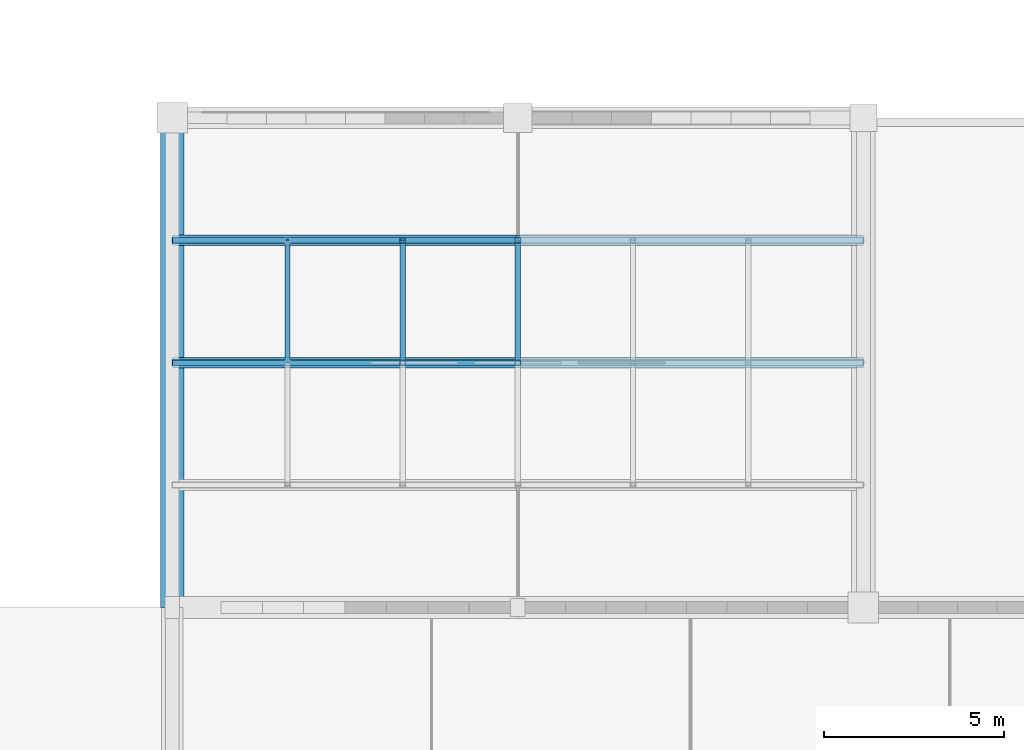
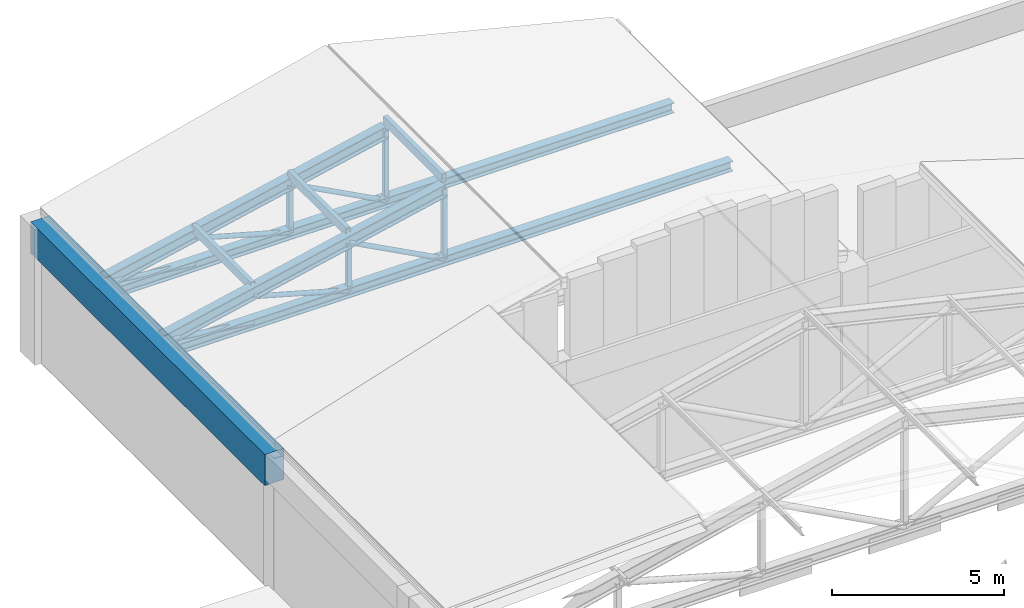
# One storey, part 20 of 61: 17 members, 1 beam.
"""IFC4 building model written with IfcOpenShell, lengths in metres."""

import ifcopenshell
import ifcopenshell.guid

model = None  # the IFC model being written
_history = None  # IfcOwnerHistory: only IFC2X3 demands one
_inside = {}  # id of a spatial element -> (the spatial element, [elements in it])
_under = {}  # id of a project, library or spatial element -> (it, [spatial elements below it])
_declared = {}  # id of a project -> (the project, [libraries it declares])
_typed = {}  # id of a type object -> (the type object, [elements of that type])
_made_of = {}  # id of a material, layer set ... -> (it, [elements and type objects made of it])


def new_model(schema):
    """Start an empty IFC model of exactly this schema.

    Asked for "IFC4X3", IfcOpenShell would pick the latest addendum, in which some entities
    have other attributes; the version numbers below select the first issue.
    IFC2X3 requires an IfcOwnerHistory on every rooted entity: one is made here for all.
    """
    global model, _history
    if schema == "IFC4X3":
        model = ifcopenshell.file(schema_version=(4, 3, 0, 0))
    else:
        model = ifcopenshell.file(schema=schema)
    _inside.clear()
    _under.clear()
    _declared.clear()
    _typed.clear()
    _made_of.clear()
    _history = None
    if model.schema == "IFC2X3":
        org = make("IfcOrganization", Name="unknown")
        user = make(
            "IfcPersonAndOrganization",
            ThePerson=make("IfcPerson", FamilyName="unknown"),
            TheOrganization=org,
        )
        app = make(
            "IfcApplication",
            ApplicationDeveloper=org,
            Version="unknown",
            ApplicationFullName="unknown",
            ApplicationIdentifier="unknown",
        )
        _history = make(
            "IfcOwnerHistory",
            OwningUser=user,
            OwningApplication=app,
            ChangeAction="ADDED",
            CreationDate=0,
        )
    return model


def make(cls, **values):
    """One entity of the class cls with the attributes given. An attribute that is None is left unset."""
    return model.create_entity(
        cls, **{name: value for name, value in values.items() if value is not None}
    )


def rooted(cls, **values):
    """An entity with a GlobalId (a new one), such as an element, a storey or a relation."""
    return make(cls, GlobalId=ifcopenshell.guid.new(), OwnerHistory=_history, **values)


def si_unit(unit_type, name, prefix=None):
    """IfcSIUnit, for example si_unit("LENGTHUNIT", "METRE", prefix="MILLI")."""
    return make("IfcSIUnit", UnitType=unit_type, Prefix=prefix, Name=name)


def assignment(units):
    """IfcUnitAssignment: the units of a project."""
    return None if units is None else make("IfcUnitAssignment", Units=units)


def point(xyz):
    """IfcCartesianPoint."""
    return None if xyz is None else make("IfcCartesianPoint", Coordinates=xyz)


def direction(xyz):
    """IfcDirection."""
    return None if xyz is None else make("IfcDirection", DirectionRatios=xyz)


def frame(location, z_axis=None, x_axis=None):
    """IfcAxis2Placement3D, a coordinate frame: its origin and axes. An axis left out is left unset."""
    return make(
        "IfcAxis2Placement3D",
        Location=point(location),
        Axis=direction(z_axis),
        RefDirection=direction(x_axis),
    )


def frame_2d(location, x_axis=None):
    """IfcAxis2Placement2D, a coordinate frame in the plane: its origin and x axis."""
    return make(
        "IfcAxis2Placement2D", Location=point(location), RefDirection=direction(x_axis)
    )


def origin():
    """The frame at (0, 0, 0) with its axes left unset."""
    return frame((0.0, 0.0, 0.0))


def origin_2d():
    """The frame at (0, 0) in the plane with its x axis left unset."""
    return frame_2d((0.0, 0.0))


def place(relative_to, where):
    """IfcLocalPlacement: puts the frame where relative to a parent placement (None: the world)."""
    return make(
        "IfcLocalPlacement", PlacementRelTo=relative_to, RelativePlacement=where
    )


def context(
    kind, dimensions, precision=None, world=None, true_north=None, identifier=None
):
    """IfcGeometricRepresentationContext, for example the 3D "Model" context."""
    return make(
        "IfcGeometricRepresentationContext",
        ContextIdentifier=identifier,
        ContextType=kind,
        CoordinateSpaceDimension=dimensions,
        Precision=precision,
        WorldCoordinateSystem=world,
        TrueNorth=true_north,
    )


def subcontext(parent, identifier, kind, view, scale=None):
    """IfcGeometricRepresentationSubContext, for example "Body" below "Model"."""
    return make(
        "IfcGeometricRepresentationSubContext",
        ContextIdentifier=identifier,
        ContextType=kind,
        ParentContext=parent,
        TargetScale=scale,
        TargetView=view,
    )


def project(units=None, contexts=None):
    """IfcProject with its units and contexts."""
    return rooted(
        "IfcProject",
        Name="project",
        RepresentationContexts=contexts,
        UnitsInContext=assignment(units),
    )


def spatial(cls, under=None, at=None, **own):
    """A site, building, storey or space (cls), placed at a placement, below another one or the project."""
    s = rooted(cls, ObjectPlacement=at, **own)
    if under is not None:
        _under.setdefault(under.id(), (under, []))[1].append(s)
    return s


def profile(cls, at=None, kind="AREA", **sizes):
    """A parametric profile (cls). Its sizes go by their IFC names, for example OverallWidth=200.0."""
    return make(cls, ProfileType=kind, Position=at, **sizes)


def rectangle(**sizes):
    """IfcRectangleProfileDef."""
    return profile("IfcRectangleProfileDef", **sizes)


def hollow_rectangle(**sizes):
    """IfcRectangleHollowProfileDef."""
    return profile("IfcRectangleHollowProfileDef", **sizes)


def hollow_circle(**sizes):
    """IfcCircleHollowProfileDef."""
    return profile("IfcCircleHollowProfileDef", **sizes)


def i_section(**sizes):
    """IfcIShapeProfileDef."""
    return profile("IfcIShapeProfileDef", **sizes)


def extrude(swept, where, along, depth):
    """IfcExtrudedAreaSolid: the profile swept, set in the frame where, extruded along a direction by depth."""
    return make(
        "IfcExtrudedAreaSolid",
        SweptArea=swept,
        Position=where,
        ExtrudedDirection=direction(along),
        Depth=depth,
    )


def shape(context_of_items, identifier, shape_type, items):
    """IfcShapeRepresentation: the items that make up one representation, for example the "Body"."""
    return make(
        "IfcShapeRepresentation",
        ContextOfItems=context_of_items,
        RepresentationIdentifier=identifier,
        RepresentationType=shape_type,
        Items=items,
    )


def material(Name=None, Category=None):
    """IfcMaterial."""
    return make("IfcMaterial", Name=Name, Category=Category)


def material_profile(
    of_material, cross_section, Name=None, Category=None, Priority=None
):
    """IfcMaterialProfile: a cross section and its material."""
    return make(
        "IfcMaterialProfile",
        Name=Name,
        Material=of_material,
        Profile=cross_section,
        Priority=Priority,
        Category=Category,
    )


def profile_set(profiles, Name=None, composite=None):
    """IfcMaterialProfileSet."""
    return make(
        "IfcMaterialProfileSet",
        Name=Name,
        MaterialProfiles=profiles,
        CompositeProfile=composite,
    )


def made_of(thing, what):
    """Note that an element or type object is made of a material, layer set ...; save() writes the relation."""
    if what is not None:
        _made_of.setdefault(what.id(), (what, []))[1].append(thing)
    return thing


def type_object(cls, material=None, **own):
    """A type object (cls), such as IfcWallType, which elements share."""
    return made_of(rooted(cls, **own), material)


def element(
    cls,
    number,
    at=None,
    inside=None,
    cuts=None,
    type_object=None,
    material=None,
    context=None,
    identifier="Body",
    shape_type=None,
    held_by="IfcProductDefinitionShape",
    body=None,
    shapes=None,
    **own,
):
    """One element of the class cls, such as IfcWall. Its Tag is "e" and its number.

    at: its placement. inside: the storey or other place that contains it. cuts: it is an
    opening in that element (IfcRelVoidsElement). A single representation is given by context,
    identifier, shape_type and body (its items); several are given by shapes. held_by: the class
    of the entity that holds the representations. save() writes the other relations.
    """
    e = rooted(cls, Tag="e%d" % number, ObjectPlacement=at, **own)
    if body is not None:
        shapes = [shape(context, identifier, shape_type, body)]
    if shapes is not None:
        e.Representation = make(held_by, Representations=shapes)
    if inside is not None:
        _inside.setdefault(inside.id(), (inside, []))[1].append(e)
    if cuts is not None:
        rooted(
            "IfcRelVoidsElement", RelatingBuildingElement=cuts, RelatedOpeningElement=e
        )
    if type_object is not None:
        _typed.setdefault(type_object.id(), (type_object, []))[1].append(e)
    return made_of(e, material)


def aggregate(whole, parts):
    """IfcRelAggregates: a whole, such as a stair, and the parts it consists of."""
    return rooted("IfcRelAggregates", RelatingObject=whole, RelatedObjects=parts)


def save(model, path):
    """Write the relations noted so far, then the file.

    IfcRelAggregates (storeys below a building ...), IfcRelContainedInSpatialStructure (elements
    in a storey), IfcRelDefinesByType, IfcRelAssociatesMaterial and IfcRelDeclares: one each for
    every whole, place, type object, material and project.
    """
    for whole, parts in _under.values():
        aggregate(whole, parts)
    for where, things in _inside.values():
        rooted(
            "IfcRelContainedInSpatialStructure",
            RelatedElements=things,
            RelatingStructure=where,
        )
    for kind, things in _typed.values():
        rooted("IfcRelDefinesByType", RelatedObjects=things, RelatingType=kind)
    for what, things in _made_of.values():
        rooted("IfcRelAssociatesMaterial", RelatedObjects=things, RelatingMaterial=what)
    for by, libraries in _declared.values():
        rooted("IfcRelDeclares", RelatingContext=by, RelatedDefinitions=libraries)
    model.write(path)


model = new_model("IFC4")

# Units and contexts
model_context = context("Model", 3, precision=1e-05, world=origin(), true_north=direction((0.0, 1.0)))
body_context = subcontext(model_context, "Body", "Model", "MODEL_VIEW")
ifc_project = project(units=[si_unit("LENGTHUNIT", "METRE"), si_unit("AREAUNIT", "SQUARE_METRE"), si_unit("VOLUMEUNIT", "CUBIC_METRE"), si_unit("PLANEANGLEUNIT", "RADIAN"), si_unit("MASSUNIT", "GRAM", prefix="KILO")], contexts=[model_context])

# Site, building, storey
site_placement = place(None, origin())
site = spatial("IfcSite", under=ifc_project, at=site_placement, CompositionType="ELEMENT")
building_placement = place(site_placement, origin())
building = spatial("IfcBuilding", under=site, at=building_placement, Name="Vellmiral Cinema and Media Centre", CompositionType="ELEMENT")
storey_placement = place(building_placement, frame((0.0, 0.0, 10.800048828125)))
storey = spatial("IfcBuildingStorey", under=building, at=storey_placement, Name="L02", CompositionType="ELEMENT", Elevation=10.800048828125)

# Members
ifc_material_1 = material(Name="Steel S355", Category="steel")
ifc_material_profile_1 = material_profile(ifc_material_1, hollow_rectangle(XDim=0.14990234375, YDim=0.300048828125, WallThickness=0.010009765625, at=origin_2d()), Name="RHS 300x150x10.0")
ifc_profile_set_1 = profile_set([ifc_material_profile_1], Name="Steel S355")
member_type_1 = type_object("IfcMemberType", Name="PRL-RHS300", PredefinedType="PURLIN", material=ifc_profile_set_1)
for number, where, z_axis, x_axis, name in (
    (1, (9.60009765625, 102.0, 5.412841796875), (0.0, 1.0, 0.0), (-1.0, 0.0, 0.0), "Roof Purlin 4.1.2"),
    (2, (12.800048828125, 102.0, 6.210693359375), (0.0, 1.0, 0.0), (-1.0, 0.0, 0.0), "Roof Purlin 4.2.2"),
    (3, (16.0, 102.0, 7.008544921875), (0.0, 1.0, 0.0), (-1.0, 0.0, 0.0), "Roof Purlin 4.3.2"),
):
    element("IfcMember", number, at=place(storey_placement, frame(where, z_axis=z_axis, x_axis=x_axis)), inside=storey, type_object=member_type_1, Name=name, PredefinedType="PURLIN", context=body_context, shape_type="SweptSolid", body=[
        extrude(hollow_rectangle(XDim=0.14990234375, YDim=0.300048828125, WallThickness=0.010009765625, at=origin_2d()), origin(), (0.0, 0.0, 1.0), 3.39990234375),
    ])

# Beam
ifc_material_2 = material(Name="Concrete C40/50", Category="concrete")
ifc_material_profile_2 = material_profile(ifc_material_2, rectangle(XDim=0.64990234375, YDim=1.10009765625, at=origin_2d()), Name="RC 650x1100")
ifc_profile_set_2 = profile_set([ifc_material_profile_2], Name="Concrete C40/50")
beam_type = type_object("IfcBeamType", Name="RING-BMG-650x1100", PredefinedType="BEAM", material=ifc_profile_set_2)
beam_placement = place(storey_placement, frame((6.39990234375, 95.199951171875, 4.25), z_axis=(0.0, 1.0, 0.0), x_axis=(-1.0, 0.0, 0.0)))
element("IfcBeam", 4, at=beam_placement, inside=storey, type_object=beam_type, Name="Cinema Screen 4 Ring Beam 03", PredefinedType="BEAM", context=body_context, shape_type="SweptSolid", body=[
    extrude(rectangle(XDim=0.64990234375, YDim=1.10009765625, at=origin_2d()), origin(), (0.0, 0.0, 1.0), 13.60009765625),
])

# Members
ifc_material_3 = material(Name="Steel S355", Category="steel")
ifc_material_profile_3 = material_profile(ifc_material_3, hollow_circle(Radius=0.084228515625, WallThickness=0.008056640625, at=origin_2d()), Name="CHS 168.3x8.0")
ifc_profile_set_3 = profile_set([ifc_material_profile_3], Name="Steel S355")
member_type_2 = type_object("IfcMemberType", Name="TBR-CHS168", PredefinedType="BRACE", material=ifc_profile_set_3)
member_1_placement = place(storey_placement, frame((6.39990234375, 102.0, 4.544921875), z_axis=(0.992467733724, 0.0, -0.122506316232), x_axis=(0.0, 1.0, 0.0)))
element("IfcMember", 5, at=member_1_placement, inside=storey, type_object=member_type_2, Name="Roof Truss TR-04.2 Diagonal 1", PredefinedType="BRACE", context=body_context, shape_type="SweptSolid", body=[
    extrude(hollow_circle(Radius=0.084228515625, WallThickness=0.008056640625, at=origin_2d()), origin(), (0.0, 0.0, 1.0), 3.224365234375),
])
member_2_placement = place(storey_placement, frame((9.60009765625, 102.0, 5.0478515625), z_axis=(0.962810518235, 0.0, -0.270177545286), x_axis=(0.0, 1.0, 0.0)))
element("IfcMember", 6, at=member_2_placement, inside=storey, type_object=member_type_2, Name="Roof Truss TR-04.2 Diagonal 2", PredefinedType="BRACE", context=body_context, shape_type="SweptSolid", body=[
    extrude(hollow_circle(Radius=0.084228515625, WallThickness=0.008056640625, at=origin_2d()), origin(), (0.0, 0.0, 1.0), 3.323486328125),
])
member_3_placement = place(storey_placement, frame((12.800048828125, 102.0, 5.845703125), z_axis=(0.883592703859, 0.0, -0.468256269246), x_axis=(0.0, 1.0, 0.0)))
element("IfcMember", 7, at=member_3_placement, inside=storey, type_object=member_type_2, Name="Roof Truss TR-04.2 Diagonal 3", PredefinedType="BRACE", context=body_context, shape_type="SweptSolid", body=[
    extrude(hollow_circle(Radius=0.084228515625, WallThickness=0.008056640625, at=origin_2d()), origin(), (0.0, 0.0, 1.0), 3.62158203125),
])
member_4_placement = place(storey_placement, frame((6.39990234375, 105.39990234375, 4.544921875), z_axis=(0.992467733724, 0.0, -0.122506316232), x_axis=(0.0, 1.0, 0.0)))
element("IfcMember", 8, at=member_4_placement, inside=storey, type_object=member_type_2, Name="Roof Truss TR-04.3 Diagonal 1", PredefinedType="BRACE", context=body_context, shape_type="SweptSolid", body=[
    extrude(hollow_circle(Radius=0.084228515625, WallThickness=0.008056640625, at=origin_2d()), origin(), (0.0, 0.0, 1.0), 3.224365234375),
])
member_5_placement = place(storey_placement, frame((9.60009765625, 105.39990234375, 5.0478515625), z_axis=(0.962810518235, 0.0, -0.270177545286), x_axis=(0.0, 1.0, 0.0)))
element("IfcMember", 9, at=member_5_placement, inside=storey, type_object=member_type_2, Name="Roof Truss TR-04.3 Diagonal 2", PredefinedType="BRACE", context=body_context, shape_type="SweptSolid", body=[
    extrude(hollow_circle(Radius=0.084228515625, WallThickness=0.008056640625, at=origin_2d()), origin(), (0.0, 0.0, 1.0), 3.323486328125),
])
member_6_placement = place(storey_placement, frame((12.800048828125, 105.39990234375, 5.845703125), z_axis=(0.883592703859, 0.0, -0.468256269246), x_axis=(0.0, 1.0, 0.0)))
element("IfcMember", 10, at=member_6_placement, inside=storey, type_object=member_type_2, Name="Roof Truss TR-04.3 Diagonal 3", PredefinedType="BRACE", context=body_context, shape_type="SweptSolid", body=[
    extrude(hollow_circle(Radius=0.084228515625, WallThickness=0.008056640625, at=origin_2d()), origin(), (0.0, 0.0, 1.0), 3.62158203125),
])
ifc_material_4 = material(Name="Steel S355", Category="steel")
ifc_material_profile_4 = material_profile(ifc_material_4, hollow_rectangle(XDim=0.14990234375, YDim=0.14990234375, WallThickness=0.008056640625, at=origin_2d()), Name="SHS 150x150x8.0")
ifc_profile_set_4 = profile_set([ifc_material_profile_4], Name="Steel S355")
member_type_3 = type_object("IfcMemberType", Name="TBR-SHS150", PredefinedType="BRACE", material=ifc_profile_set_4)
member_7_placement = place(storey_placement, frame((12.800048828125, 102.0, 4.14990234375), z_axis=(0.0, 0.0, 1.0), x_axis=(1.0, 0.0, 0.0)))
element("IfcMember", 11, at=member_7_placement, inside=storey, type_object=member_type_3, Name="Roof Truss TR-04.2 Post 2", PredefinedType="BRACE", context=body_context, shape_type="SweptSolid", body=[
    extrude(hollow_rectangle(XDim=0.14990234375, YDim=0.14990234375, WallThickness=0.008056640625, at=origin_2d()), origin(), (0.0, 0.0, 1.0), 1.69580078125),
])
member_8_placement = place(storey_placement, frame((16.0, 102.0, 4.14990234375), z_axis=(0.0, 0.0, 1.0), x_axis=(1.0, 0.0, 0.0)))
element("IfcMember", 12, at=member_8_placement, inside=storey, type_object=member_type_3, Name="Roof Truss TR-04.2 Post 3", PredefinedType="BRACE", context=body_context, shape_type="SweptSolid", body=[
    extrude(hollow_rectangle(XDim=0.14990234375, YDim=0.14990234375, WallThickness=0.008056640625, at=origin_2d()), origin(), (0.0, 0.0, 1.0), 2.49365234375),
])
member_9_placement = place(storey_placement, frame((12.800048828125, 105.39990234375, 4.14990234375), z_axis=(0.0, 0.0, 1.0), x_axis=(1.0, 0.0, 0.0)))
element("IfcMember", 13, at=member_9_placement, inside=storey, type_object=member_type_3, Name="Roof Truss TR-04.3 Post 2", PredefinedType="BRACE", context=body_context, shape_type="SweptSolid", body=[
    extrude(hollow_rectangle(XDim=0.14990234375, YDim=0.14990234375, WallThickness=0.008056640625, at=origin_2d()), origin(), (0.0, 0.0, 1.0), 1.69580078125),
])
member_10_placement = place(storey_placement, frame((16.0, 105.39990234375, 4.14990234375), z_axis=(0.0, 0.0, 1.0), x_axis=(1.0, 0.0, 0.0)))
element("IfcMember", 14, at=member_10_placement, inside=storey, type_object=member_type_3, Name="Roof Truss TR-04.3 Post 3", PredefinedType="BRACE", context=body_context, shape_type="SweptSolid", body=[
    extrude(hollow_rectangle(XDim=0.14990234375, YDim=0.14990234375, WallThickness=0.008056640625, at=origin_2d()), origin(), (0.0, 0.0, 1.0), 2.49365234375),
])
ifc_material_5 = material(Name="Steel S355", Category="steel")
ifc_material_profile_5 = material_profile(ifc_material_5, i_section(OverallWidth=0.300048828125, OverallDepth=0.360107421875, WebThickness=0.012451171875, FlangeThickness=0.0224609375, FilletRadius=0.027099609375, at=origin_2d()), Name="HEB 360")
ifc_profile_set_5 = profile_set([ifc_material_profile_5], Name="Steel S355")
member_type_4 = type_object("IfcMemberType", Name="TCH-HEB360", PredefinedType="CHORD", material=ifc_profile_set_5)
for number, where, z_axis, x_axis, name in (
    (15, (6.39990234375, 102.0, 4.14990234375), (1.0, 0.0, 0.0), (0.0, 1.0, 0.0), "Roof Truss TR-04.2 Bottom Chord"),
    (16, (6.39990234375, 105.39990234375, 4.14990234375), (1.0, 0.0, 0.0), (0.0, 1.0, 0.0), "Roof Truss TR-04.3 Bottom Chord"),
):
    element("IfcMember", number, at=place(storey_placement, frame(where, z_axis=z_axis, x_axis=x_axis)), inside=storey, type_object=member_type_4, Name=name, PredefinedType="CHORD", context=body_context, shape_type="SweptSolid", body=[
        extrude(i_section(OverallWidth=0.300048828125, OverallDepth=0.360107421875, WebThickness=0.012451171875, FlangeThickness=0.0224609375, FilletRadius=0.027099609375, at=origin_2d()), origin(), (0.0, 0.0, 1.0), 19.2001953125),
    ])
ifc_material_6 = material(Name="Steel S355", Category="steel")
ifc_material_profile_6 = material_profile(ifc_material_6, i_section(OverallWidth=0.300048828125, OverallDepth=0.449951171875, WebThickness=0.013916015625, FlangeThickness=0.02587890625, FilletRadius=0.027099609375, at=origin_2d()), Name="HEB 450")
ifc_profile_set_6 = profile_set([ifc_material_profile_6], Name="Steel S355")
member_type_5 = type_object("IfcMemberType", Name="TCH-HEB450", PredefinedType="CHORD", material=ifc_profile_set_6)
for number, where, z_axis, x_axis, name in (
    (17, (6.39990234375, 102.0, 4.544921875), (0.976929506413, 0.0, 0.213562027291), (0.0, 1.0, 0.0), "Roof Truss TR-04.2 Top Chord W"),
    (18, (6.39990234375, 105.39990234375, 4.544921875), (0.976929506413, 0.0, 0.213562027291), (0.0, 1.0, 0.0), "Roof Truss TR-04.3 Top Chord W"),
):
    element("IfcMember", number, at=place(storey_placement, frame(where, z_axis=z_axis, x_axis=x_axis)), inside=storey, type_object=member_type_5, Name=name, PredefinedType="CHORD", context=body_context, shape_type="SweptSolid", body=[
        extrude(i_section(OverallWidth=0.300048828125, OverallDepth=0.449951171875, WebThickness=0.013916015625, FlangeThickness=0.02587890625, FilletRadius=0.027099609375, at=origin_2d()), origin(), (0.0, 0.0, 1.0), 9.826904296875),
    ])

save(model, "model.ifc")
